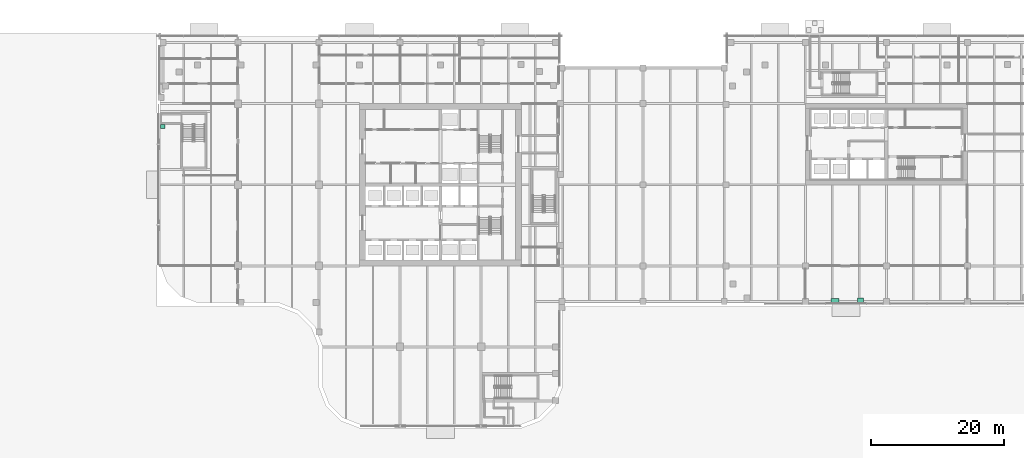
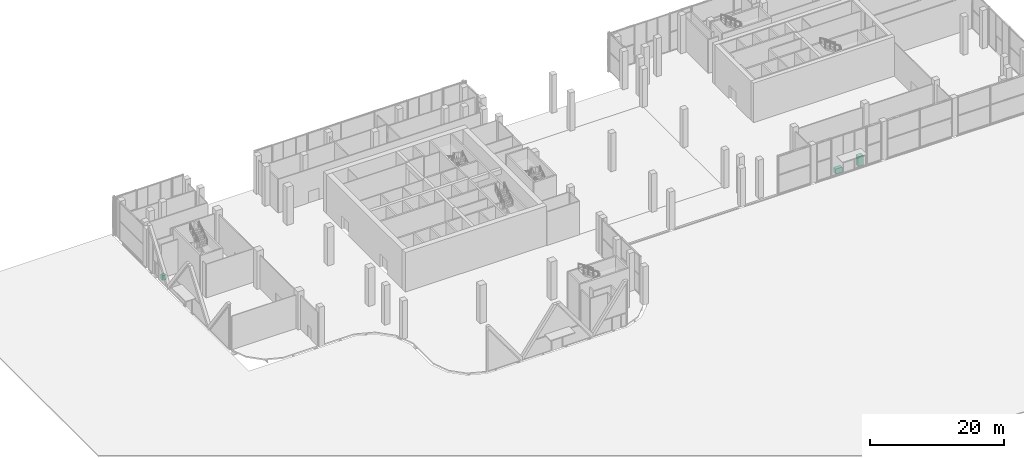
# One storey, part 35 of 36: 2 sanitary terminals, 1 electric appliance.
"""IFC4 building model written with IfcOpenShell, lengths in metres."""

from ifc_helpers import new_model, si_unit, direction, frame, origin, origin_2d, place, context, subcontext, project, spatial, rectangle, extrude, material, type_object, element, save


model = new_model("IFC4")

# Units and contexts
model_context = context("Model", 3, precision=1e-05, world=origin(), true_north=direction((0.0, 1.0)))
body_context = subcontext(model_context, "Body", "Model", "MODEL_VIEW")
ifc_project = project(units=[si_unit("LENGTHUNIT", "METRE"), si_unit("AREAUNIT", "SQUARE_METRE"), si_unit("VOLUMEUNIT", "CUBIC_METRE"), si_unit("PLANEANGLEUNIT", "RADIAN"), si_unit("MASSUNIT", "GRAM", prefix="KILO")], contexts=[model_context])

# Site, building, storey
site_placement = place(None, origin())
site = spatial("IfcSite", under=ifc_project, at=site_placement, CompositionType="ELEMENT")
building_placement = place(site_placement, origin())
building = spatial("IfcBuilding", under=site, at=building_placement, Name="Tessera Gate Towers", CompositionType="ELEMENT")
storey_placement = place(building_placement, origin())
storey = spatial("IfcBuildingStorey", under=building, at=storey_placement, Name="L00", CompositionType="ELEMENT", Elevation=0.0)

# Sanitary terminal
ifc_material_1 = material(Name="Vitreous china")
sanitary_terminal_type_1 = type_object("IfcSanitaryTerminalType", Name="KITCHEN SINK 1200x600", PredefinedType="SINK", material=ifc_material_1)
sanitary_terminal_1_placement = place(storey_placement, frame((102.10009765625, 19.14990234375, 0.0), z_axis=(0.0, 0.0, 1.0), x_axis=(1.0, 0.0, 0.0)))
element("IfcSanitaryTerminal", 1, at=sanitary_terminal_1_placement, inside=storey, type_object=sanitary_terminal_type_1, Name="Kitchen sink", PredefinedType="SINK", context=body_context, shape_type="SweptSolid", body=[
    extrude(rectangle(XDim=1.199951171875, YDim=0.60009765625, at=origin_2d()), origin(), (0.0, 0.0, 1.0), 0.89990234375),
])

# Electric appliance
ifc_material_2 = material(Name="Enamelled steel", Category="steel")
electric_appliance_type = type_object("IfcElectricApplianceType", Name="REFRIGERATOR 900x700", PredefinedType="FRIDGE_FREEZER", material=ifc_material_2)
electric_appliance_placement = place(storey_placement, frame((105.89990234375, 19.199951171875, 0.0), z_axis=(0.0, 0.0, 1.0), x_axis=(1.0, 0.0, 0.0)))
element("IfcElectricAppliance", 2, at=electric_appliance_placement, inside=storey, type_object=electric_appliance_type, Name="Refrigerator", PredefinedType="FRIDGE_FREEZER", context=body_context, shape_type="SweptSolid", body=[
    extrude(rectangle(XDim=0.89990234375, YDim=0.699951171875, at=origin_2d()), origin(), (0.0, 0.0, 1.0), 1.800048828125),
])

# Sanitary terminal
ifc_material_3 = material(Name="Vitreous china")
sanitary_terminal_type_2 = type_object("IfcSanitaryTerminalType", Name="SINK 700x550", PredefinedType="SINK", material=ifc_material_3)
sanitary_terminal_2_placement = place(storey_placement, frame((0.89990234375, 45.375, 0.0), z_axis=(0.0, 0.0, 1.0), x_axis=(1.0, 0.0, 0.0)))
element("IfcSanitaryTerminal", 3, at=sanitary_terminal_2_placement, inside=storey, type_object=sanitary_terminal_type_2, Name="Sink", PredefinedType="SINK", context=body_context, shape_type="SweptSolid", body=[
    extrude(rectangle(XDim=0.699951171875, YDim=0.550048828125, at=origin_2d()), origin(), (0.0, 0.0, 1.0), 0.89990234375),
])

save(model, "model.ifc")
